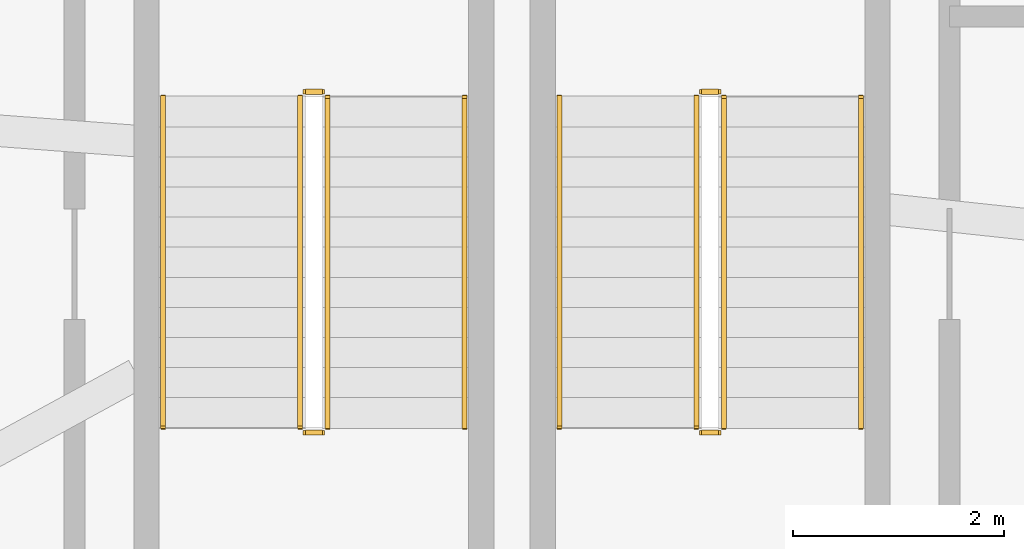
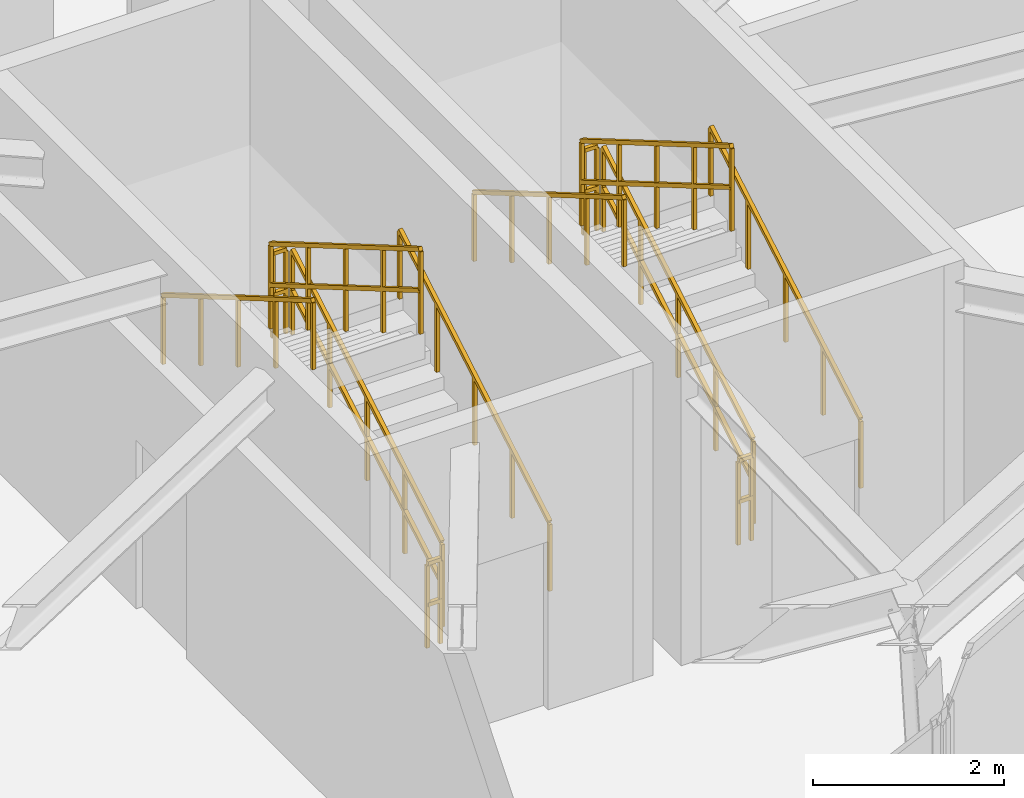
# One storey, part 9 of 9: 12 railings.
"""IFC4 building model written with IfcOpenShell, lengths in metres."""

from ifc_helpers import new_model, si_unit, direction, frame, origin, origin_2d, place, context, subcontext, project, spatial, rectangle, extrude, material, type_object, element, save


model = new_model("IFC4")

# Units and contexts
model_context = context("Model", 3, precision=1e-05, world=origin(), true_north=direction((0.0, 1.0)))
body_context = subcontext(model_context, "Body", "Model", "MODEL_VIEW")
ifc_project = project(units=[si_unit("LENGTHUNIT", "METRE"), si_unit("AREAUNIT", "SQUARE_METRE"), si_unit("VOLUMEUNIT", "CUBIC_METRE"), si_unit("PLANEANGLEUNIT", "RADIAN"), si_unit("MASSUNIT", "GRAM", prefix="KILO"), si_unit("THERMODYNAMICTEMPERATUREUNIT", "KELVIN"), si_unit("POWERUNIT", "WATT")], contexts=[model_context])

# Site, building, storey
site_placement = place(None, origin())
site = spatial("IfcSite", under=ifc_project, at=site_placement, CompositionType="ELEMENT")
building_placement = place(site_placement, origin())
building = spatial("IfcBuilding", under=site, at=building_placement, Name="Ocrelia Relay Tower", CompositionType="ELEMENT")
storey_placement = place(building_placement, frame((0.0, 0.0, 300.0)))
storey = spatial("IfcBuildingStorey", under=building, at=storey_placement, Name="L75", CompositionType="ELEMENT", Elevation=300.0)

# Railings
ifc_material_1 = material(Name="Steel S355 balustrade", Category="steel")
railing_type_1 = type_object("IfcRailingType", Name="RL-STAIR-GUARD", PredefinedType="GUARDRAIL", material=ifc_material_1)
railing_1_placement = place(storey_placement, frame((32.25, 20.64990234375, 0.166748046875)))
element("IfcRailing", 1, at=railing_1_placement, inside=storey, type_object=railing_type_1, Name="L75 ST4 stair guard 1", PredefinedType="GUARDRAIL", context=body_context, shape_type="SweptSolid", body=[
    extrude(rectangle(XDim=0.048095703125, YDim=0.048095703125, at=origin_2d()), frame((0.0, 0.0, 1.076171875), z_axis=(0.0, 0.863239559939, 0.504794475164), x_axis=(-1.0, 0.0, 0.0)), (0.0, 0.0, 1.0), 3.631591796875),
    extrude(rectangle(XDim=0.048095703125, YDim=0.048095703125, at=origin_2d()), frame((0.0, 0.0, 0.550048828125), z_axis=(0.0, 0.863239559939, 0.504794475164), x_axis=(-1.0, 0.0, 0.0)), (0.0, 0.0, 1.0), 3.631591796875),
    extrude(rectangle(XDim=0.0419921875, YDim=0.0419921875, at=origin_2d()), origin(), (0.0, 0.0, 1.0), 1.052001953125),
    extrude(rectangle(XDim=0.0419921875, YDim=0.0419921875, at=origin_2d()), frame((0.0, 0.78369140625, 0.458251953125)), (0.0, 0.0, 1.0), 1.052001953125),
    extrude(rectangle(XDim=0.0419921875, YDim=0.0419921875, at=origin_2d()), frame((0.0, 1.5673828125, 0.91650390625)), (0.0, 0.0, 1.0), 1.052001953125),
    extrude(rectangle(XDim=0.0419921875, YDim=0.0419921875, at=origin_2d()), frame((0.0, 2.351318359375, 1.375)), (0.0, 0.0, 1.0), 1.052001953125),
    extrude(rectangle(XDim=0.0419921875, YDim=0.0419921875, at=origin_2d()), frame((0.0, 3.135009765625, 1.833251953125)), (0.0, 0.0, 1.0), 1.052001953125),
])
railing_2_placement = place(storey_placement, frame((32.199951171875, 23.8349609375, 2.0)))
element("IfcRailing", 2, at=railing_2_placement, inside=storey, type_object=railing_type_1, Name="L75 ST4 stair guard 2", PredefinedType="GUARDRAIL", context=body_context, shape_type="SweptSolid", body=[
    extrude(rectangle(XDim=0.048095703125, YDim=0.048095703125, at=origin_2d()), frame((0.0, 0.0, 1.076171875), z_axis=(-1.0, 0.0, 0.0), x_axis=(0.0, -1.0, 0.0)), (0.0, 0.0, 1.0), 0.159912109375),
    extrude(rectangle(XDim=0.048095703125, YDim=0.048095703125, at=origin_2d()), frame((0.0, 0.0, 0.550048828125), z_axis=(-1.0, 0.0, 0.0), x_axis=(0.0, -1.0, 0.0)), (0.0, 0.0, 1.0), 0.159912109375),
    extrude(rectangle(XDim=0.0419921875, YDim=0.0419921875, at=origin_2d()), origin(), (0.0, 0.0, 1.0), 1.052001953125),
    extrude(rectangle(XDim=0.0419921875, YDim=0.0419921875, at=origin_2d()), frame((-0.159912109375, 0.0, 0.0)), (0.0, 0.0, 1.0), 1.052001953125),
])
railing_3_placement = place(storey_placement, frame((31.989990234375, 23.784912109375, 2.166748046875)))
element("IfcRailing", 3, at=railing_3_placement, inside=storey, type_object=railing_type_1, Name="L75 ST4 stair guard 3", PredefinedType="GUARDRAIL", context=body_context, shape_type="SweptSolid", body=[
    extrude(rectangle(XDim=0.048095703125, YDim=0.048095703125, at=origin_2d()), frame((0.0, 0.0, 1.076171875), z_axis=(0.0, -0.863239559939, 0.504794475164), x_axis=(1.0, 0.0, 0.0)), (0.0, 0.0, 1.0), 3.631591796875),
    extrude(rectangle(XDim=0.048095703125, YDim=0.048095703125, at=origin_2d()), frame((0.0, 0.0, 0.550048828125), z_axis=(0.0, -0.863239559939, 0.504794475164), x_axis=(1.0, 0.0, 0.0)), (0.0, 0.0, 1.0), 3.631591796875),
    extrude(rectangle(XDim=0.0419921875, YDim=0.0419921875, at=origin_2d()), origin(), (0.0, 0.0, 1.0), 1.052001953125),
    extrude(rectangle(XDim=0.0419921875, YDim=0.0419921875, at=origin_2d()), frame((0.0, -0.78369140625, 0.458251953125)), (0.0, 0.0, 1.0), 1.052001953125),
    extrude(rectangle(XDim=0.0419921875, YDim=0.0419921875, at=origin_2d()), frame((0.0, -1.5673828125, 0.91650390625)), (0.0, 0.0, 1.0), 1.052001953125),
    extrude(rectangle(XDim=0.0419921875, YDim=0.0419921875, at=origin_2d()), frame((0.0, -2.351318359375, 1.375)), (0.0, 0.0, 1.0), 1.052001953125),
    extrude(rectangle(XDim=0.0419921875, YDim=0.0419921875, at=origin_2d()), frame((0.0, -3.135009765625, 1.833251953125)), (0.0, 0.0, 1.0), 1.052001953125),
])
railing_4_placement = place(storey_placement, frame((32.199951171875, 20.60009765625, 0.0)))
element("IfcRailing", 4, at=railing_4_placement, inside=storey, type_object=railing_type_1, Name="L75 ST4 stair guard 4", PredefinedType="GUARDRAIL", context=body_context, shape_type="SweptSolid", body=[
    extrude(rectangle(XDim=0.048095703125, YDim=0.048095703125, at=origin_2d()), frame((0.0, 0.0, 1.076171875), z_axis=(-1.0, 0.0, 0.0), x_axis=(0.0, -1.0, 0.0)), (0.0, 0.0, 1.0), 0.159912109375),
    extrude(rectangle(XDim=0.048095703125, YDim=0.048095703125, at=origin_2d()), frame((0.0, 0.0, 0.550048828125), z_axis=(-1.0, 0.0, 0.0), x_axis=(0.0, -1.0, 0.0)), (0.0, 0.0, 1.0), 0.159912109375),
    extrude(rectangle(XDim=0.0419921875, YDim=0.0419921875, at=origin_2d()), origin(), (0.0, 0.0, 1.0), 1.052001953125),
    extrude(rectangle(XDim=0.0419921875, YDim=0.0419921875, at=origin_2d()), frame((-0.159912109375, 0.0, 0.0)), (0.0, 0.0, 1.0), 1.052001953125),
])
railing_5_placement = place(storey_placement, frame((36.010009765625, 20.64990234375, 0.166748046875)))
element("IfcRailing", 5, at=railing_5_placement, inside=storey, type_object=railing_type_1, Name="L75 ST5 stair guard 1", PredefinedType="GUARDRAIL", context=body_context, shape_type="SweptSolid", body=[
    extrude(rectangle(XDim=0.048095703125, YDim=0.048095703125, at=origin_2d()), frame((0.0, 0.0, 1.076171875), z_axis=(0.0, 0.863239559939, 0.504794475164), x_axis=(-1.0, 0.0, 0.0)), (0.0, 0.0, 1.0), 3.631591796875),
    extrude(rectangle(XDim=0.048095703125, YDim=0.048095703125, at=origin_2d()), frame((0.0, 0.0, 0.550048828125), z_axis=(0.0, 0.863239559939, 0.504794475164), x_axis=(-1.0, 0.0, 0.0)), (0.0, 0.0, 1.0), 3.631591796875),
    extrude(rectangle(XDim=0.0419921875, YDim=0.0419921875, at=origin_2d()), origin(), (0.0, 0.0, 1.0), 1.052001953125),
    extrude(rectangle(XDim=0.0419921875, YDim=0.0419921875, at=origin_2d()), frame((0.0, 0.78369140625, 0.458251953125)), (0.0, 0.0, 1.0), 1.052001953125),
    extrude(rectangle(XDim=0.0419921875, YDim=0.0419921875, at=origin_2d()), frame((0.0, 1.5673828125, 0.91650390625)), (0.0, 0.0, 1.0), 1.052001953125),
    extrude(rectangle(XDim=0.0419921875, YDim=0.0419921875, at=origin_2d()), frame((0.0, 2.351318359375, 1.375)), (0.0, 0.0, 1.0), 1.052001953125),
    extrude(rectangle(XDim=0.0419921875, YDim=0.0419921875, at=origin_2d()), frame((0.0, 3.135009765625, 1.833251953125)), (0.0, 0.0, 1.0), 1.052001953125),
])
railing_6_placement = place(storey_placement, frame((35.9599609375, 23.8349609375, 2.0)))
element("IfcRailing", 6, at=railing_6_placement, inside=storey, type_object=railing_type_1, Name="L75 ST5 stair guard 2", PredefinedType="GUARDRAIL", context=body_context, shape_type="SweptSolid", body=[
    extrude(rectangle(XDim=0.048095703125, YDim=0.048095703125, at=origin_2d()), frame((0.0, 0.0, 1.076171875), z_axis=(-1.0, 0.0, 0.0), x_axis=(0.0, -1.0, 0.0)), (0.0, 0.0, 1.0), 0.159912109375),
    extrude(rectangle(XDim=0.048095703125, YDim=0.048095703125, at=origin_2d()), frame((0.0, 0.0, 0.550048828125), z_axis=(-1.0, 0.0, 0.0), x_axis=(0.0, -1.0, 0.0)), (0.0, 0.0, 1.0), 0.159912109375),
    extrude(rectangle(XDim=0.0419921875, YDim=0.0419921875, at=origin_2d()), origin(), (0.0, 0.0, 1.0), 1.052001953125),
    extrude(rectangle(XDim=0.0419921875, YDim=0.0419921875, at=origin_2d()), frame((-0.159912109375, 0.0, 0.0)), (0.0, 0.0, 1.0), 1.052001953125),
])
railing_7_placement = place(storey_placement, frame((35.75, 23.784912109375, 2.166748046875)))
element("IfcRailing", 7, at=railing_7_placement, inside=storey, type_object=railing_type_1, Name="L75 ST5 stair guard 3", PredefinedType="GUARDRAIL", context=body_context, shape_type="SweptSolid", body=[
    extrude(rectangle(XDim=0.048095703125, YDim=0.048095703125, at=origin_2d()), frame((0.0, 0.0, 1.076171875), z_axis=(0.0, -0.863239559939, 0.504794475164), x_axis=(1.0, 0.0, 0.0)), (0.0, 0.0, 1.0), 3.631591796875),
    extrude(rectangle(XDim=0.048095703125, YDim=0.048095703125, at=origin_2d()), frame((0.0, 0.0, 0.550048828125), z_axis=(0.0, -0.863239559939, 0.504794475164), x_axis=(1.0, 0.0, 0.0)), (0.0, 0.0, 1.0), 3.631591796875),
    extrude(rectangle(XDim=0.0419921875, YDim=0.0419921875, at=origin_2d()), origin(), (0.0, 0.0, 1.0), 1.052001953125),
    extrude(rectangle(XDim=0.0419921875, YDim=0.0419921875, at=origin_2d()), frame((0.0, -0.78369140625, 0.458251953125)), (0.0, 0.0, 1.0), 1.052001953125),
    extrude(rectangle(XDim=0.0419921875, YDim=0.0419921875, at=origin_2d()), frame((0.0, -1.5673828125, 0.91650390625)), (0.0, 0.0, 1.0), 1.052001953125),
    extrude(rectangle(XDim=0.0419921875, YDim=0.0419921875, at=origin_2d()), frame((0.0, -2.351318359375, 1.375)), (0.0, 0.0, 1.0), 1.052001953125),
    extrude(rectangle(XDim=0.0419921875, YDim=0.0419921875, at=origin_2d()), frame((0.0, -3.135009765625, 1.833251953125)), (0.0, 0.0, 1.0), 1.052001953125),
])
railing_8_placement = place(storey_placement, frame((35.9599609375, 20.60009765625, 0.0)))
element("IfcRailing", 8, at=railing_8_placement, inside=storey, type_object=railing_type_1, Name="L75 ST5 stair guard 4", PredefinedType="GUARDRAIL", context=body_context, shape_type="SweptSolid", body=[
    extrude(rectangle(XDim=0.048095703125, YDim=0.048095703125, at=origin_2d()), frame((0.0, 0.0, 1.076171875), z_axis=(-1.0, 0.0, 0.0), x_axis=(0.0, -1.0, 0.0)), (0.0, 0.0, 1.0), 0.159912109375),
    extrude(rectangle(XDim=0.048095703125, YDim=0.048095703125, at=origin_2d()), frame((0.0, 0.0, 0.550048828125), z_axis=(-1.0, 0.0, 0.0), x_axis=(0.0, -1.0, 0.0)), (0.0, 0.0, 1.0), 0.159912109375),
    extrude(rectangle(XDim=0.0419921875, YDim=0.0419921875, at=origin_2d()), origin(), (0.0, 0.0, 1.0), 1.052001953125),
    extrude(rectangle(XDim=0.0419921875, YDim=0.0419921875, at=origin_2d()), frame((-0.159912109375, 0.0, 0.0)), (0.0, 0.0, 1.0), 1.052001953125),
])
ifc_material_2 = material(Name="Steel S355 tubular handrail", Category="steel")
railing_type_2 = type_object("IfcRailingType", Name="RL-STAIR-HAND", PredefinedType="HANDRAIL", material=ifc_material_2)
railing_9_placement = place(storey_placement, frame((33.550048828125, 20.64990234375, 0.166748046875)))
element("IfcRailing", 9, at=railing_9_placement, inside=storey, type_object=railing_type_2, Name="L75 ST4 stair handrail 1", PredefinedType="HANDRAIL", context=body_context, shape_type="SweptSolid", body=[
    extrude(rectangle(XDim=0.048095703125, YDim=0.048095703125, at=origin_2d()), frame((0.0, 0.0, 0.8759765625), z_axis=(0.0, 0.863239559939, 0.504794475164), x_axis=(-1.0, 0.0, 0.0)), (0.0, 0.0, 1.0), 3.631591796875),
    extrude(rectangle(XDim=0.0419921875, YDim=0.0419921875, at=origin_2d()), origin(), (0.0, 0.0, 1.0), 0.851806640625),
    extrude(rectangle(XDim=0.0419921875, YDim=0.0419921875, at=origin_2d()), frame((0.0, 0.78369140625, 0.458251953125)), (0.0, 0.0, 1.0), 0.851806640625),
    extrude(rectangle(XDim=0.0419921875, YDim=0.0419921875, at=origin_2d()), frame((0.0, 1.5673828125, 0.91650390625)), (0.0, 0.0, 1.0), 0.851806640625),
    extrude(rectangle(XDim=0.0419921875, YDim=0.0419921875, at=origin_2d()), frame((0.0, 2.351318359375, 1.375)), (0.0, 0.0, 1.0), 0.851806640625),
    extrude(rectangle(XDim=0.0419921875, YDim=0.0419921875, at=origin_2d()), frame((0.0, 3.135009765625, 1.833251953125)), (0.0, 0.0, 1.0), 0.851806640625),
])
railing_10_placement = place(storey_placement, frame((30.68994140625, 23.784912109375, 2.166748046875)))
element("IfcRailing", 10, at=railing_10_placement, inside=storey, type_object=railing_type_2, Name="L75 ST4 stair handrail 2", PredefinedType="HANDRAIL", context=body_context, shape_type="SweptSolid", body=[
    extrude(rectangle(XDim=0.048095703125, YDim=0.048095703125, at=origin_2d()), frame((0.0, 0.0, 0.8759765625), z_axis=(0.0, -0.863239559939, 0.504794475164), x_axis=(1.0, 0.0, 0.0)), (0.0, 0.0, 1.0), 3.631591796875),
    extrude(rectangle(XDim=0.0419921875, YDim=0.0419921875, at=origin_2d()), origin(), (0.0, 0.0, 1.0), 0.851806640625),
    extrude(rectangle(XDim=0.0419921875, YDim=0.0419921875, at=origin_2d()), frame((0.0, -0.78369140625, 0.458251953125)), (0.0, 0.0, 1.0), 0.851806640625),
    extrude(rectangle(XDim=0.0419921875, YDim=0.0419921875, at=origin_2d()), frame((0.0, -1.5673828125, 0.91650390625)), (0.0, 0.0, 1.0), 0.851806640625),
    extrude(rectangle(XDim=0.0419921875, YDim=0.0419921875, at=origin_2d()), frame((0.0, -2.351318359375, 1.375)), (0.0, 0.0, 1.0), 0.851806640625),
    extrude(rectangle(XDim=0.0419921875, YDim=0.0419921875, at=origin_2d()), frame((0.0, -3.135009765625, 1.833251953125)), (0.0, 0.0, 1.0), 0.851806640625),
])
railing_11_placement = place(storey_placement, frame((37.31005859375, 20.64990234375, 0.166748046875)))
element("IfcRailing", 11, at=railing_11_placement, inside=storey, type_object=railing_type_2, Name="L75 ST5 stair handrail 1", PredefinedType="HANDRAIL", context=body_context, shape_type="SweptSolid", body=[
    extrude(rectangle(XDim=0.048095703125, YDim=0.048095703125, at=origin_2d()), frame((0.0, 0.0, 0.8759765625), z_axis=(0.0, 0.863239559939, 0.504794475164), x_axis=(-1.0, 0.0, 0.0)), (0.0, 0.0, 1.0), 3.631591796875),
    extrude(rectangle(XDim=0.0419921875, YDim=0.0419921875, at=origin_2d()), origin(), (0.0, 0.0, 1.0), 0.851806640625),
    extrude(rectangle(XDim=0.0419921875, YDim=0.0419921875, at=origin_2d()), frame((0.0, 0.78369140625, 0.458251953125)), (0.0, 0.0, 1.0), 0.851806640625),
    extrude(rectangle(XDim=0.0419921875, YDim=0.0419921875, at=origin_2d()), frame((0.0, 1.5673828125, 0.91650390625)), (0.0, 0.0, 1.0), 0.851806640625),
    extrude(rectangle(XDim=0.0419921875, YDim=0.0419921875, at=origin_2d()), frame((0.0, 2.351318359375, 1.375)), (0.0, 0.0, 1.0), 0.851806640625),
    extrude(rectangle(XDim=0.0419921875, YDim=0.0419921875, at=origin_2d()), frame((0.0, 3.135009765625, 1.833251953125)), (0.0, 0.0, 1.0), 0.851806640625),
])
railing_12_placement = place(storey_placement, frame((34.449951171875, 23.784912109375, 2.166748046875)))
element("IfcRailing", 12, at=railing_12_placement, inside=storey, type_object=railing_type_2, Name="L75 ST5 stair handrail 2", PredefinedType="HANDRAIL", context=body_context, shape_type="SweptSolid", body=[
    extrude(rectangle(XDim=0.048095703125, YDim=0.048095703125, at=origin_2d()), frame((0.0, 0.0, 0.8759765625), z_axis=(0.0, -0.863239559939, 0.504794475164), x_axis=(1.0, 0.0, 0.0)), (0.0, 0.0, 1.0), 3.631591796875),
    extrude(rectangle(XDim=0.0419921875, YDim=0.0419921875, at=origin_2d()), origin(), (0.0, 0.0, 1.0), 0.851806640625),
    extrude(rectangle(XDim=0.0419921875, YDim=0.0419921875, at=origin_2d()), frame((0.0, -0.78369140625, 0.458251953125)), (0.0, 0.0, 1.0), 0.851806640625),
    extrude(rectangle(XDim=0.0419921875, YDim=0.0419921875, at=origin_2d()), frame((0.0, -1.5673828125, 0.91650390625)), (0.0, 0.0, 1.0), 0.851806640625),
    extrude(rectangle(XDim=0.0419921875, YDim=0.0419921875, at=origin_2d()), frame((0.0, -2.351318359375, 1.375)), (0.0, 0.0, 1.0), 0.851806640625),
    extrude(rectangle(XDim=0.0419921875, YDim=0.0419921875, at=origin_2d()), frame((0.0, -3.135009765625, 1.833251953125)), (0.0, 0.0, 1.0), 0.851806640625),
])

save(model, "model.ifc")
